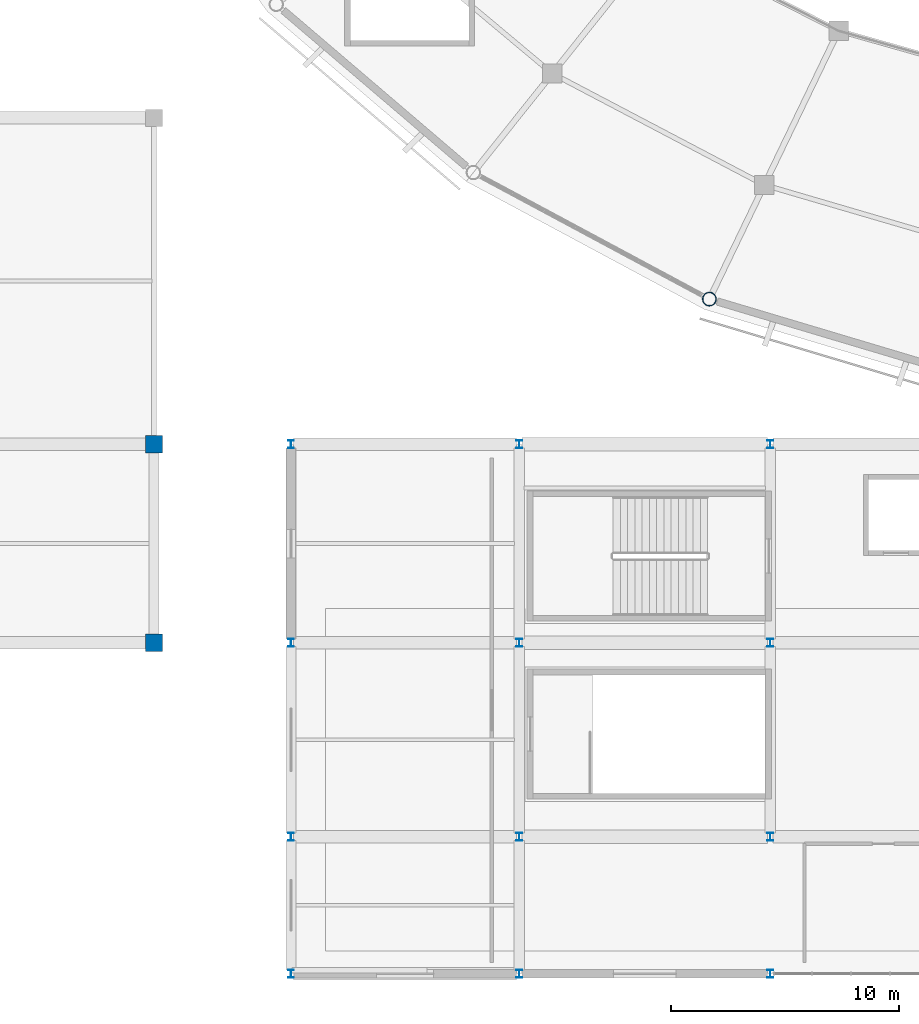
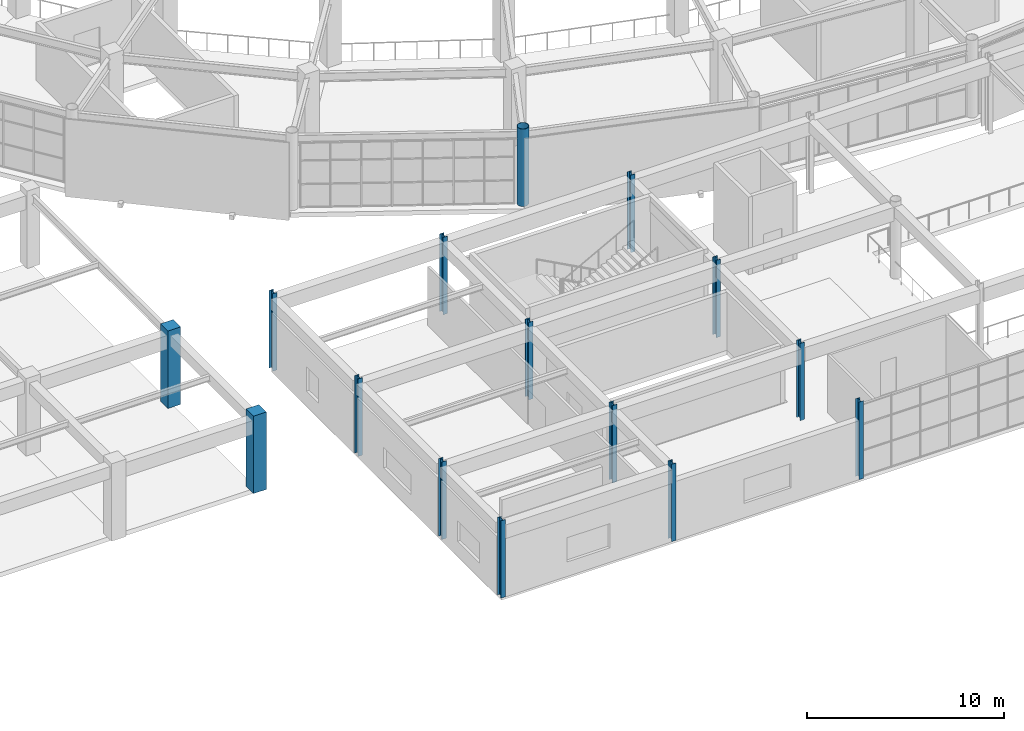
# One storey, part 2 of 112: 15 columns.
"""IFC4 building model written with IfcOpenShell, lengths in metres."""

from ifc_helpers import new_model, si_unit, direction, frame, origin, origin_2d, place, context, subcontext, project, spatial, rectangle, hollow_circle, i_section, extrude, material, material_profile, profile_set, type_object, element, save


model = new_model("IFC4")

# Units and contexts
model_context = context("Model", 3, precision=1e-05, world=origin(), true_north=direction((0.0, 1.0)))
body_context = subcontext(model_context, "Body", "Model", "MODEL_VIEW")
ifc_project = project(units=[si_unit("LENGTHUNIT", "METRE"), si_unit("AREAUNIT", "SQUARE_METRE"), si_unit("VOLUMEUNIT", "CUBIC_METRE"), si_unit("PLANEANGLEUNIT", "RADIAN"), si_unit("MASSUNIT", "GRAM", prefix="KILO")], contexts=[model_context])

# Site, building, storey
site_placement = place(None, origin())
site = spatial("IfcSite", under=ifc_project, at=site_placement, CompositionType="ELEMENT")
building_placement = place(site_placement, origin())
building = spatial("IfcBuilding", under=site, at=building_placement, Name="Cuetzalor Civic Arena", CompositionType="ELEMENT")
storey_placement = place(building_placement, frame((0.0, 0.0, 11.39990234375)))
storey = spatial("IfcBuildingStorey", under=building, at=storey_placement, Name="L02", CompositionType="ELEMENT", Elevation=11.39990234375)

# Columns
ifc_material_1 = material(Name="Concrete C40/50", Category="concrete")
ifc_material_profile_1 = material_profile(ifc_material_1, rectangle(XDim=0.75, YDim=0.75, at=origin_2d()), Name="RC 750x750")
ifc_profile_set_1 = profile_set([ifc_material_profile_1], Name="Concrete C40/50")
column_type_1 = type_object("IfcColumnType", Name="ConcreteColumn_750", PredefinedType="COLUMN", material=ifc_profile_set_1)
for number, where, z_axis, x_axis, name in (
    (1, (-48.0, -57.0, 0.0), (0.0, 0.0, 1.0), (1.0, 0.0, 0.0), "Column V4W-RET-01 L02"),
    (2, (-48.0, -48.300048828125, 0.0), (0.0, 0.0, 1.0), (1.0, 0.0, 0.0), "Column V4W-RET-02 L02"),
):
    element("IfcColumn", number, at=place(storey_placement, frame(where, z_axis=z_axis, x_axis=x_axis)), inside=storey, type_object=column_type_1, Name=name, PredefinedType="COLUMN", context=body_context, shape_type="SweptSolid", body=[
        extrude(rectangle(XDim=0.75, YDim=0.75, at=origin_2d()), origin(), (0.0, 0.0, 1.0), 4.800048828125),
    ])
ifc_material_2 = material(Name="Steel S355", Category="steel")
ifc_material_profile_2 = material_profile(ifc_material_2, hollow_circle(Radius=0.304931640625, WallThickness=0.02490234375, at=origin_2d()), Name="CHS 610x25")
ifc_profile_set_2 = profile_set([ifc_material_profile_2], Name="Steel S355")
column_type_2 = type_object("IfcColumnType", Name="SteelDomePylon_CHS610", PredefinedType="COLUMN", material=ifc_profile_set_2)
column_placement = place(storey_placement, frame((-23.66845703125, -41.940185546875, 0.0), z_axis=(0.0, 0.0, 1.0), x_axis=(1.0, 0.0, 0.0)))
element("IfcColumn", 3, at=column_placement, inside=storey, type_object=column_type_2, Name="Column V1-PYL-20 L02", PredefinedType="COLUMN", context=body_context, shape_type="SweptSolid", body=[
    extrude(hollow_circle(Radius=0.304931640625, WallThickness=0.02490234375, at=origin_2d()), origin(), (0.0, 0.0, 1.0), 4.800048828125),
])
ifc_material_3 = material(Name="Steel S355", Category="steel")
ifc_material_profile_3 = material_profile(ifc_material_3, i_section(OverallWidth=0.257080078125, OverallDepth=0.363037109375, WebThickness=0.012939453125, FlangeThickness=0.021728515625, at=origin_2d()), Name="W360x122")
ifc_profile_set_3 = profile_set([ifc_material_profile_3], Name="Steel S355")
column_type_3 = type_object("IfcColumnType", Name="SteelMezzColumn_W360", PredefinedType="COLUMN", material=ifc_profile_set_3)
for number, where, z_axis, x_axis, name in (
    (4, (-42.0, -71.5, 0.0), (0.0, 0.0, 1.0), (1.0, 0.0, 0.0), "Column V3-C-01-01 L02"),
    (5, (-42.0, -65.5, 0.0), (0.0, 0.0, 1.0), (1.0, 0.0, 0.0), "Column V3-C-01-02 L02"),
    (6, (-42.0, -57.0, 0.0), (0.0, 0.0, 1.0), (1.0, 0.0, 0.0), "Column V3-C-01-03 L02"),
    (7, (-42.0, -48.300048828125, 0.0), (0.0, 0.0, 1.0), (1.0, 0.0, 0.0), "Column V3-C-01-04 L02"),
    (8, (-32.0, -71.5, 0.0), (0.0, 0.0, 1.0), (1.0, 0.0, 0.0), "Column V3-C-02-01 L02"),
    (9, (-32.0, -65.5, 0.0), (0.0, 0.0, 1.0), (1.0, 0.0, 0.0), "Column V3-C-02-02 L02"),
    (10, (-32.0, -57.0, 0.0), (0.0, 0.0, 1.0), (1.0, 0.0, 0.0), "Column V3-C-02-03 L02"),
    (11, (-32.0, -48.300048828125, 0.0), (0.0, 0.0, 1.0), (1.0, 0.0, 0.0), "Column V3-C-02-04 L02"),
    (12, (-21.0, -71.5, 0.0), (0.0, 0.0, 1.0), (1.0, 0.0, 0.0), "Column V3-C-03-01 L02"),
    (13, (-21.0, -65.5, 0.0), (0.0, 0.0, 1.0), (1.0, 0.0, 0.0), "Column V3-C-03-02 L02"),
    (14, (-21.0, -57.0, 0.0), (0.0, 0.0, 1.0), (1.0, 0.0, 0.0), "Column V3-C-03-03 L02"),
    (15, (-21.0, -48.300048828125, 0.0), (0.0, 0.0, 1.0), (1.0, 0.0, 0.0), "Column V3-C-03-04 L02"),
):
    element("IfcColumn", number, at=place(storey_placement, frame(where, z_axis=z_axis, x_axis=x_axis)), inside=storey, type_object=column_type_3, Name=name, PredefinedType="COLUMN", context=body_context, shape_type="SweptSolid", body=[
        extrude(i_section(OverallWidth=0.257080078125, OverallDepth=0.363037109375, WebThickness=0.012939453125, FlangeThickness=0.021728515625, at=origin_2d()), origin(), (0.0, 0.0, 1.0), 4.800048828125),
    ])

save(model, "model.ifc")
